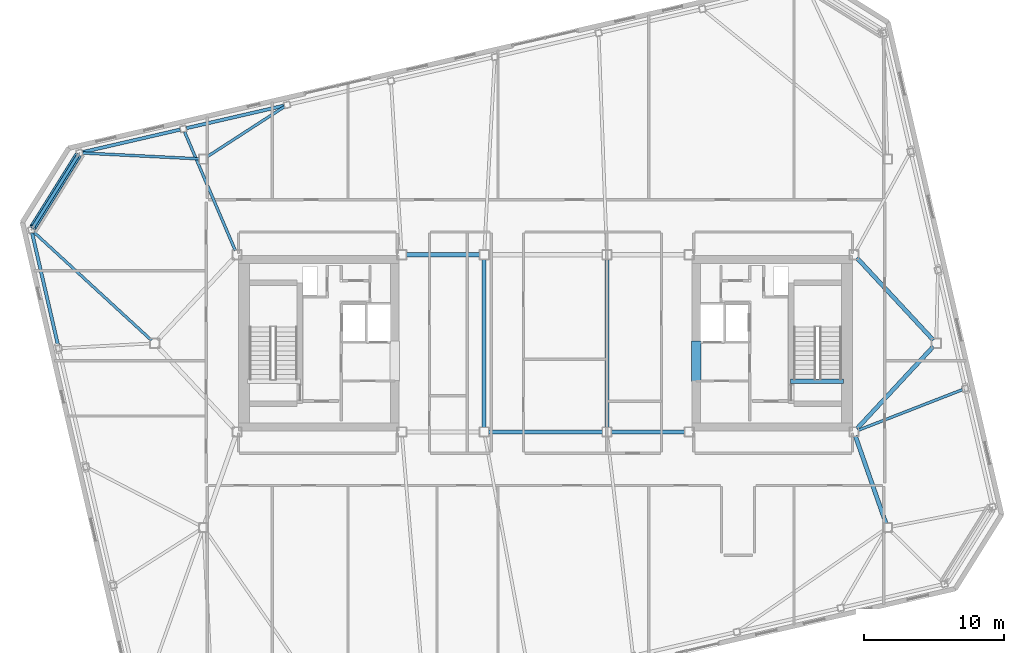
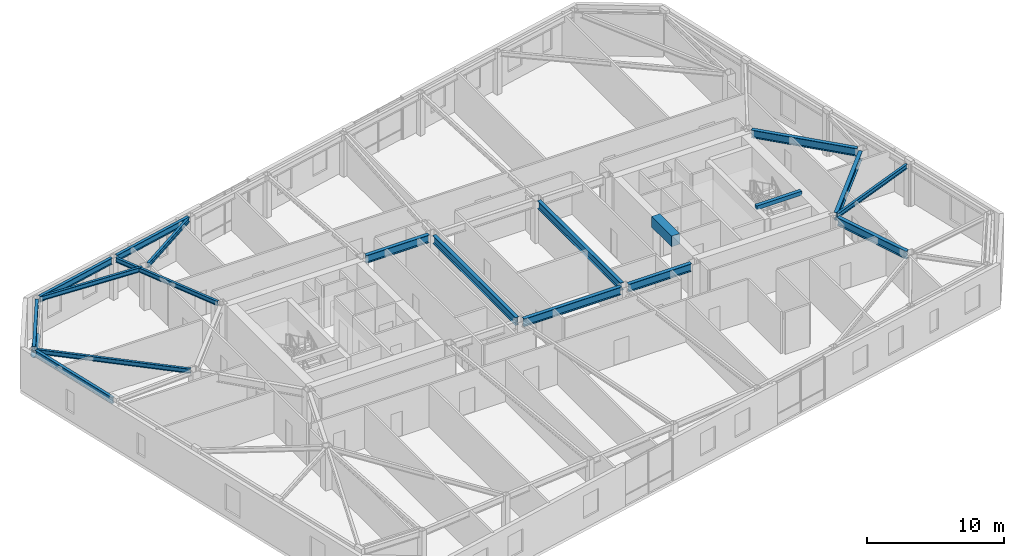
# One storey, part 11 of 23: 19 beams, 1 member.
"""IFC4 building model written with IfcOpenShell, lengths in metres."""

from ifc_helpers import new_model, si_unit, direction, frame, origin, origin_2d, place, context, subcontext, project, spatial, rectangle, hollow_circle, i_section, extrude, material, material_profile, profile_set, type_object, element, save


model = new_model("IFC4")

# Units and contexts
model_context = context("Model", 3, precision=1e-05, world=origin(), true_north=direction((0.0, 1.0)))
body_context = subcontext(model_context, "Body", "Model", "MODEL_VIEW")
ifc_project = project(units=[si_unit("LENGTHUNIT", "METRE"), si_unit("AREAUNIT", "SQUARE_METRE"), si_unit("VOLUMEUNIT", "CUBIC_METRE"), si_unit("PLANEANGLEUNIT", "RADIAN"), si_unit("MASSUNIT", "GRAM", prefix="KILO")], contexts=[model_context])

# Site, building, storey
site_placement = place(None, origin())
site = spatial("IfcSite", under=ifc_project, at=site_placement, CompositionType="ELEMENT")
building_placement = place(site_placement, origin())
building = spatial("IfcBuilding", under=site, at=building_placement, Name="Tavrogorsk Clinical Tower", CompositionType="ELEMENT")
storey_placement = place(building_placement, frame((0.0, 0.0, 297.0)))
storey = spatial("IfcBuildingStorey", under=building, at=storey_placement, Name="L69", CompositionType="ELEMENT", Elevation=297.0)

# Beam
ifc_material_1 = material(Name="Concrete B80", Category="concrete")
ifc_material_profile_1 = material_profile(ifc_material_1, rectangle(XDim=0.699951171875, YDim=0.949951171875, at=origin_2d()), Name="RC-CB-700x950")
ifc_profile_set_1 = profile_set([ifc_material_profile_1], Name="Concrete B80")
beam_type_1 = type_object("IfcBeamType", Name="CouplingBeam_RC700x950", PredefinedType="LINTEL", material=ifc_profile_set_1)
beam_1_placement = place(storey_placement, frame((10.800048828125, -2.75, 3.264892578125), z_axis=(0.0, 1.0, 0.0), x_axis=(-1.0, 0.0, 0.0)))
element("IfcBeam", 1, at=beam_1_placement, inside=storey, type_object=beam_type_1, Name="L69 Core East Coupling Beam", PredefinedType="LINTEL", context=body_context, shape_type="SweptSolid", body=[
    extrude(rectangle(XDim=0.699951171875, YDim=0.949951171875, at=origin_2d()), origin(), (0.0, 0.0, 1.0), 2.89990234375),
])

# Member
ifc_material_2 = material(Name="Structural steel S440", Category="steel")
ifc_material_profile_2 = material_profile(ifc_material_2, hollow_circle(Radius=0.25390625, WallThickness=0.02001953125, at=origin_2d()), Name="CHS-508x20")
ifc_profile_set_2 = profile_set([ifc_material_profile_2], Name="Structural steel S440")
member_type = type_object("IfcMemberType", Name="ExoBrace_CHS508", PredefinedType="BRACE", material=ifc_profile_set_2)
member_placement = place(storey_placement, frame((-33.501708984375, 13.4638671875, 0.393310546875), z_axis=(-0.485643868835, -0.777221605895, 0.400095748531), x_axis=(0.848056967697, -0.529905066536, 0.0)))
element("IfcMember", 2, at=member_placement, inside=storey, type_object=member_type, Name="L69 Corner Exoskeleton Brace N8-W1", PredefinedType="BRACE", context=body_context, shape_type="SweptSolid", body=[
    extrude(hollow_circle(Radius=0.25390625, WallThickness=0.02001953125, at=origin_2d()), origin(), (0.0, 0.0, 1.0), 6.63232421875),
])

# Beams
ifc_material_3 = material(Name="Structural steel S355", Category="steel")
ifc_material_profile_3 = material_profile(ifc_material_3, i_section(OverallWidth=0.199951171875, OverallDepth=0.39990234375, WebThickness=0.010498046875, FlangeThickness=0.01611328125, at=origin_2d()), Name="B-400x200x10.5x16")
ifc_profile_set_3 = profile_set([ifc_material_profile_3], Name="Structural steel S355")
beam_type_2 = type_object("IfcBeamType", Name="FloorBeam_B400", PredefinedType="BEAM", material=ifc_profile_set_3)
beam_2_placement = place(storey_placement, frame((-24.23974609375, 13.36865234375, 3.5400390625), z_axis=(0.839287867478, 0.543687295699, 0.0), x_axis=(-0.543687295699, 0.839287867478, 0.0)))
element("IfcBeam", 3, at=beam_2_placement, inside=storey, type_object=beam_type_2, Name="L69 Radial Floor Beam N6", PredefinedType="BEAM", context=body_context, shape_type="SweptSolid", body=[
    extrude(i_section(OverallWidth=0.199951171875, OverallDepth=0.39990234375, WebThickness=0.010498046875, FlangeThickness=0.01611328125, at=origin_2d()), origin(), (0.0, 0.0, 1.0), 6.592529296875),
])
beam_3_placement = place(storey_placement, frame((-22.2216796875, 6.635009765625, 3.5400390625), z_axis=(-0.392852744382, 0.919601392578, 0.0), x_axis=(-0.919601392578, -0.392852744382, 0.0)))
element("IfcBeam", 4, at=beam_3_placement, inside=storey, type_object=beam_type_2, Name="L69 Radial Floor Beam N7", PredefinedType="BEAM", context=body_context, shape_type="SweptSolid", body=[
    extrude(i_section(OverallWidth=0.199951171875, OverallDepth=0.39990234375, WebThickness=0.010498046875, FlangeThickness=0.01611328125, at=origin_2d()), origin(), (0.0, 0.0, 1.0), 9.25732421875),
])
beam_4_placement = place(storey_placement, frame((-24.8095703125, 13.215576171875, 3.5400390625), z_axis=(-0.998749933549, 0.049985700304, 0.0), x_axis=(-0.049985700304, -0.998749933549, 0.0)))
element("IfcBeam", 5, at=beam_4_placement, inside=storey, type_object=beam_type_2, Name="L69 Radial Floor Beam N8", PredefinedType="BEAM", context=body_context, shape_type="SweptSolid", body=[
    extrude(i_section(OverallWidth=0.199951171875, OverallDepth=0.39990234375, WebThickness=0.010498046875, FlangeThickness=0.01611328125, at=origin_2d()), origin(), (0.0, 0.0, 1.0), 8.35693359375),
])
beam_5_placement = place(storey_placement, frame((22.388916015625, -6.237548828125, 3.5400390625), z_axis=(0.931736989786, 0.363133834647, 0.0), x_axis=(-0.363133834647, 0.931736989786, 0.0)))
element("IfcBeam", 6, at=beam_5_placement, inside=storey, type_object=beam_type_2, Name="L69 Radial Floor Beam E2", PredefinedType="BEAM", context=body_context, shape_type="SweptSolid", body=[
    extrude(i_section(OverallWidth=0.199951171875, OverallDepth=0.39990234375, WebThickness=0.010498046875, FlangeThickness=0.01611328125, at=origin_2d()), origin(), (0.0, 0.0, 1.0), 8.01806640625),
])
beam_6_placement = place(storey_placement, frame((-28.228271484375, 0.2099609375, 3.5400390625), z_axis=(-0.735959452605, 0.677025615557, 0.0), x_axis=(-0.677025615557, -0.735959452605, 0.0)))
element("IfcBeam", 7, at=beam_6_placement, inside=storey, type_object=beam_type_2, Name="L69 Radial Floor Beam W1", PredefinedType="BEAM", context=body_context, shape_type="SweptSolid", body=[
    extrude(i_section(OverallWidth=0.199951171875, OverallDepth=0.39990234375, WebThickness=0.010498046875, FlangeThickness=0.01611328125, at=origin_2d()), origin(), (0.0, 0.0, 1.0), 11.462646484375),
])
ifc_material_4 = material(Name="Structural steel S390", Category="steel")
ifc_material_profile_4 = material_profile(ifc_material_4, i_section(OverallWidth=0.300048828125, OverallDepth=0.699951171875, WebThickness=0.01708984375, FlangeThickness=0.028076171875, at=origin_2d()), Name="B-700x300x17x28")
ifc_profile_set_4 = profile_set([ifc_material_profile_4], Name="Structural steel S390")
beam_type_3 = type_object("IfcBeamType", Name="PrimaryGirder_B700", PredefinedType="USERDEFINED", material=ifc_profile_set_4)
beam_7_placement = place(storey_placement, frame((-9.989990234375, 6.35009765625, 3.389892578125), z_axis=(1.0, 0.0, 0.0), x_axis=(0.0, 1.0, 0.0)))
element("IfcBeam", 8, at=beam_7_placement, inside=storey, type_object=beam_type_3, Name="L69 Primary Spine Girder MG-02", ObjectType="GIRDER", PredefinedType="USERDEFINED", context=body_context, shape_type="SweptSolid", body=[
    extrude(i_section(OverallWidth=0.300048828125, OverallDepth=0.699951171875, WebThickness=0.01708984375, FlangeThickness=0.028076171875, at=origin_2d()), origin(), (0.0, 0.0, 1.0), 5.280029296875),
])
beam_8_placement = place(storey_placement, frame((-4.090087890625, -6.35009765625, 3.389892578125), z_axis=(1.0, 0.0, 0.0), x_axis=(0.0, 1.0, 0.0)))
element("IfcBeam", 9, at=beam_8_placement, inside=storey, type_object=beam_type_3, Name="L69 Primary Spine Girder MG-03", ObjectType="GIRDER", PredefinedType="USERDEFINED", context=body_context, shape_type="SweptSolid", body=[
    extrude(i_section(OverallWidth=0.300048828125, OverallDepth=0.699951171875, WebThickness=0.01708984375, FlangeThickness=0.028076171875, at=origin_2d()), origin(), (0.0, 0.0, 1.0), 8.18017578125),
])
beam_9_placement = place(storey_placement, frame((4.7099609375, -6.35009765625, 3.389892578125), z_axis=(1.0, 0.0, 0.0), x_axis=(0.0, 1.0, 0.0)))
element("IfcBeam", 10, at=beam_9_placement, inside=storey, type_object=beam_type_3, Name="L69 Primary Spine Girder MG-05", ObjectType="GIRDER", PredefinedType="USERDEFINED", context=body_context, shape_type="SweptSolid", body=[
    extrude(i_section(OverallWidth=0.300048828125, OverallDepth=0.699951171875, WebThickness=0.01708984375, FlangeThickness=0.028076171875, at=origin_2d()), origin(), (0.0, 0.0, 1.0), 5.280029296875),
])
for number, where, z_axis, x_axis, name in (
    (11, (-4.39990234375, -6.0400390625, 3.389892578125), (0.0, 1.0, 0.0), (-1.0, 0.0, 0.0), "L69 Primary Spine Girder MG-07"),
    (12, (4.39990234375, -6.0400390625, 3.389892578125), (0.0, 1.0, 0.0), (-1.0, 0.0, 0.0), "L69 Primary Spine Girder MG-08"),
):
    element("IfcBeam", number, at=place(storey_placement, frame(where, z_axis=z_axis, x_axis=x_axis)), inside=storey, type_object=beam_type_3, Name=name, ObjectType="GIRDER", PredefinedType="USERDEFINED", context=body_context, shape_type="SweptSolid", body=[
        extrude(i_section(OverallWidth=0.300048828125, OverallDepth=0.699951171875, WebThickness=0.01708984375, FlangeThickness=0.028076171875, at=origin_2d()), origin(), (0.0, 0.0, 1.0), 12.080078125),
    ])
beam_10_placement = place(storey_placement, frame((24.3974609375, -12.907470703125, 3.389892578125), z_axis=(-0.330666578092, 0.943747643246, 0.0), x_axis=(-0.943747643246, -0.330666578092, 0.0)))
element("IfcBeam", 13, at=beam_10_placement, inside=storey, type_object=beam_type_3, Name="L69 Spine Link Girder OPG-2", ObjectType="GIRDER", PredefinedType="USERDEFINED", context=body_context, shape_type="SweptSolid", body=[
    extrude(i_section(OverallWidth=0.300048828125, OverallDepth=0.699951171875, WebThickness=0.01708984375, FlangeThickness=0.028076171875, at=origin_2d()), origin(), (0.0, 0.0, 1.0), 6.638427734375),
])
for number, where, z_axis, x_axis, name in (
    (14, (27.7890625, -0.22705078125, 3.389892578125), (-0.680677963005, -0.732582767119, 0.0), (0.732582767119, -0.680677963005, 0.0), "L69 Spine Link Girder OPG-7"),
    (15, (27.7890625, 0.22705078125, 3.389892578125), (-0.680677963005, 0.732582767119, 0.0), (-0.732582767119, -0.680677963005, 0.0), "L69 Spine Link Girder OPG-8"),
):
    element("IfcBeam", number, at=place(storey_placement, frame(where, z_axis=z_axis, x_axis=x_axis)), inside=storey, type_object=beam_type_3, Name=name, ObjectType="GIRDER", PredefinedType="USERDEFINED", context=body_context, shape_type="SweptSolid", body=[
        extrude(i_section(OverallWidth=0.300048828125, OverallDepth=0.699951171875, WebThickness=0.01708984375, FlangeThickness=0.028076171875, at=origin_2d()), origin(), (0.0, 0.0, 1.0), 8.0478515625),
    ])
ifc_material_5 = material(Name="Structural steel S390", Category="steel")
ifc_material_profile_5 = material_profile(ifc_material_5, i_section(OverallWidth=0.239990234375, OverallDepth=0.550048828125, WebThickness=0.013916015625, FlangeThickness=0.02197265625, at=origin_2d()), Name="B-550x240x14x22")
ifc_profile_set_5 = profile_set([ifc_material_profile_5], Name="Structural steel S390")
beam_type_4 = type_object("IfcBeamType", Name="SpandrelBeam_B550", PredefinedType="SPANDREL", material=ifc_profile_set_5)
beam_11_placement = place(storey_placement, frame((-18.73828125, 17.027099609375, 3.465087890625), z_axis=(-0.97437684326, -0.224921691527, 0.0), x_axis=(0.224921691527, -0.97437684326, 0.0)))
element("IfcBeam", 16, at=beam_11_placement, inside=storey, type_object=beam_type_4, Name="L69 Perimeter Spandrel N6-N7", PredefinedType="SPANDREL", context=body_context, shape_type="SweptSolid", body=[
    extrude(i_section(OverallWidth=0.239990234375, OverallDepth=0.550048828125, WebThickness=0.013916015625, FlangeThickness=0.02197265625, at=origin_2d()), origin(), (0.0, 0.0, 1.0), 7.168212890625),
])
beam_12_placement = place(storey_placement, frame((-26.177001953125, 15.309814453125, 3.465087890625), z_axis=(-0.974369378592, -0.224954026551, 0.0), x_axis=(0.224954026551, -0.974369378592, 0.0)))
element("IfcBeam", 17, at=beam_12_placement, inside=storey, type_object=beam_type_4, Name="L69 Perimeter Spandrel N7-N8", PredefinedType="SPANDREL", context=body_context, shape_type="SweptSolid", body=[
    extrude(i_section(OverallWidth=0.239990234375, OverallDepth=0.550048828125, WebThickness=0.013916015625, FlangeThickness=0.02197265625, at=origin_2d()), origin(), (0.0, 0.0, 1.0), 7.16845703125),
])
beam_13_placement = place(storey_placement, frame((-33.511962890625, 13.447265625, 3.465087890625), z_axis=(-0.529933531413, -0.848039180866, 0.0), x_axis=(0.848039180866, -0.529933531413, 0.0)))
element("IfcBeam", 18, at=beam_13_placement, inside=storey, type_object=beam_type_4, Name="L69 Perimeter Spandrel N8-W1", PredefinedType="SPANDREL", context=body_context, shape_type="SweptSolid", body=[
    extrude(i_section(OverallWidth=0.239990234375, OverallDepth=0.550048828125, WebThickness=0.013916015625, FlangeThickness=0.02197265625, at=origin_2d()), origin(), (0.0, 0.0, 1.0), 6.039306640625),
])
beam_14_placement = place(storey_placement, frame((-36.783447265625, 7.901123046875, 3.465087890625), z_axis=(0.224950345141, -0.974370228517, 0.0), x_axis=(0.974370228517, 0.224950345141, 0.0)))
element("IfcBeam", 19, at=beam_14_placement, inside=storey, type_object=beam_type_4, Name="L69 Perimeter Spandrel W1-W2", PredefinedType="SPANDREL", context=body_context, shape_type="SweptSolid", body=[
    extrude(i_section(OverallWidth=0.239990234375, OverallDepth=0.550048828125, WebThickness=0.013916015625, FlangeThickness=0.02197265625, at=origin_2d()), origin(), (0.0, 0.0, 1.0), 8.243896484375),
])
ifc_material_6 = material(Name="Concrete B60", Category="concrete")
ifc_material_profile_6 = material_profile(ifc_material_6, rectangle(XDim=0.300048828125, YDim=0.35009765625, at=origin_2d()), Name="RC-SHB-300x350")
ifc_profile_set_6 = profile_set([ifc_material_profile_6], Name="Concrete B60")
beam_type_5 = type_object("IfcBeamType", Name="StairHeaderBeam_RC300x350", PredefinedType="BEAM", material=ifc_profile_set_6)
beam_15_placement = place(storey_placement, frame((17.550048828125, -2.719970703125, 3.824951171875), z_axis=(1.0, 0.0, 0.0), x_axis=(0.0, 1.0, 0.0)))
element("IfcBeam", 20, at=beam_15_placement, inside=storey, type_object=beam_type_5, Name="L70 ST-E Landing Header Beam", PredefinedType="BEAM", context=body_context, shape_type="SweptSolid", body=[
    extrude(rectangle(XDim=0.300048828125, YDim=0.35009765625, at=origin_2d()), origin(), (0.0, 0.0, 1.0), 3.800048828125),
])

save(model, "model.ifc")
